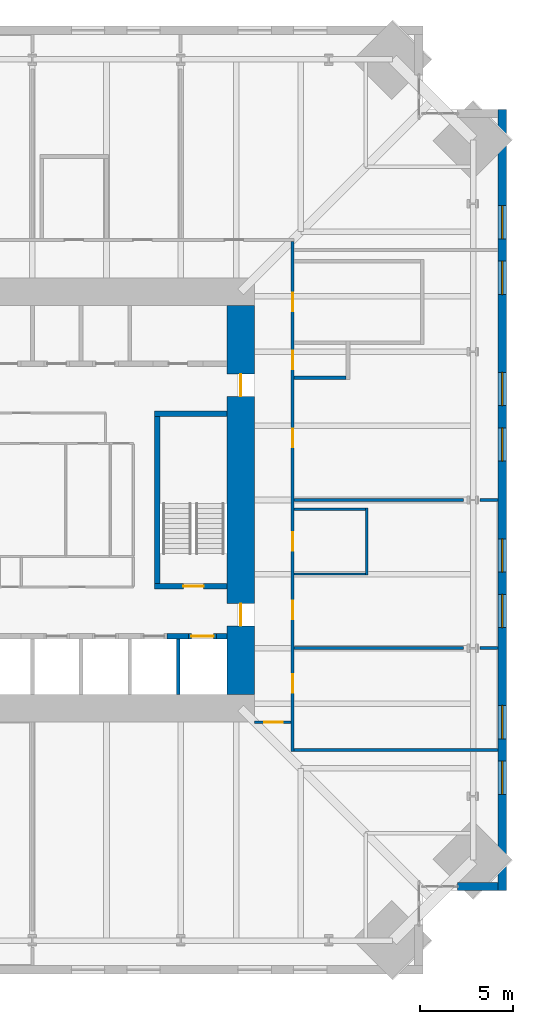
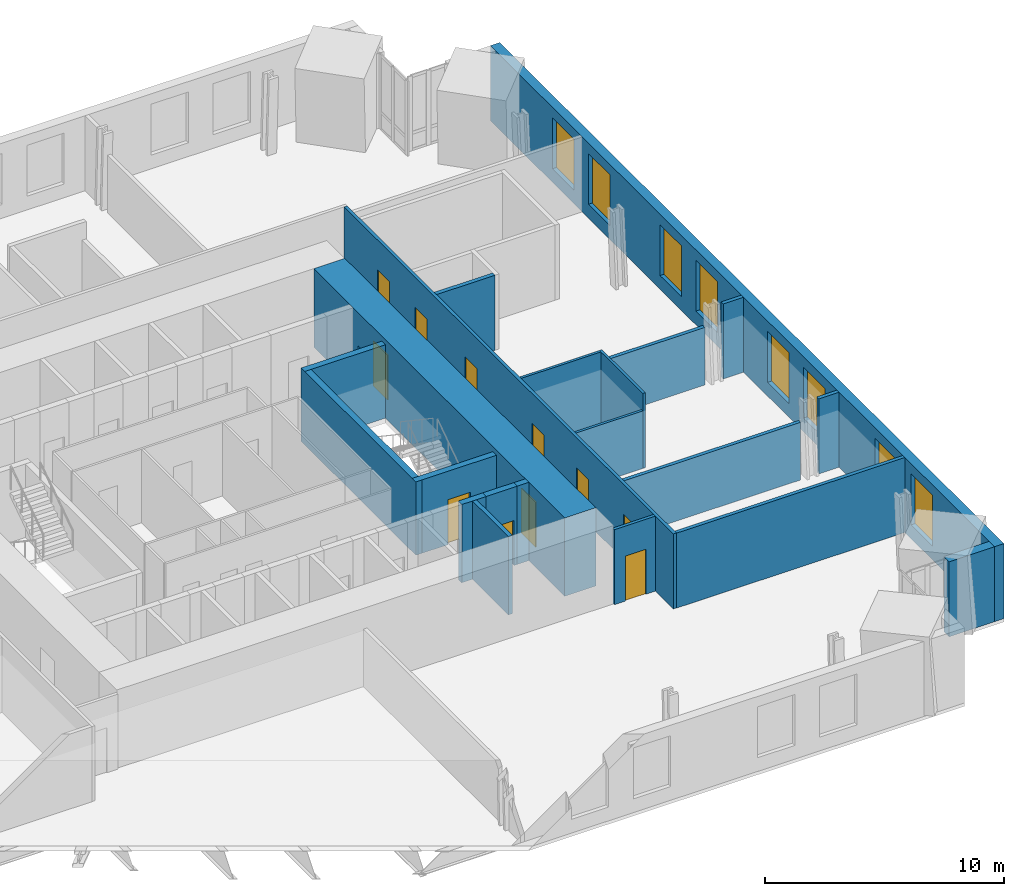
# One storey, part 15 of 18: 21 walls, 11 doors, 8 windows, 19 openings.
"""IFC4 building model written with IfcOpenShell, lengths in metres."""

from ifc_helpers import new_model, si_unit, direction, frame, frame_2d, origin, place, context, subcontext, project, spatial, rectangle, extrude, material, layer, layer_set, type_object, element, fill, save


model = new_model("IFC4")

# Units and contexts
model_context = context("Model", 3, precision=1e-05, world=origin(), true_north=direction((0.0, 1.0)))
body_context = subcontext(model_context, "Body", "Model", "MODEL_VIEW")
ifc_project = project(units=[si_unit("LENGTHUNIT", "METRE"), si_unit("AREAUNIT", "SQUARE_METRE"), si_unit("VOLUMEUNIT", "CUBIC_METRE"), si_unit("PLANEANGLEUNIT", "RADIAN"), si_unit("MASSUNIT", "GRAM", prefix="KILO")], contexts=[model_context])

# Site, building, storey
site_placement = place(None, origin())
site = spatial("IfcSite", under=ifc_project, at=site_placement, CompositionType="ELEMENT")
building_placement = place(site_placement, origin())
building = spatial("IfcBuilding", under=site, at=building_placement, Name="Peilmerk Tower", CompositionType="ELEMENT")
storey_placement = place(building_placement, frame((0.0, 0.0, 175.800048828125)))
storey = spatial("IfcBuildingStorey", under=building, at=storey_placement, Name="L37", CompositionType="ELEMENT", Elevation=175.800048828125)

# Wall, openings, windows
ifc_material_1 = material(Name="Precast concrete C45/55, board-marked finish", Category="concrete")
ifc_layer_1 = layer(ifc_material_1, 0.449951171875)
ifc_layer_set_1 = layer_set([ifc_layer_1], Name="Precast concrete C45/55, board-marked finish")
wall_type_1 = type_object("IfcWallType", Name="EW1 450 precast concrete facade wall, board-marked", PredefinedType="SOLIDWALL", material=ifc_layer_set_1)
wall_1_placement = place(storey_placement, frame((25.375, -21.10009765625, 0.0), z_axis=(0.0, 0.0, 1.0), x_axis=(0.0, 1.0, 0.0)))
wall_1 = element("IfcWall", 1, at=wall_1_placement, inside=storey, type_object=wall_type_1, Name="Facade wall E L37", PredefinedType="SOLIDWALL", context=body_context, shape_type="SweptSolid", body=[
    extrude(rectangle(XDim=42.2001953125, YDim=0.449951171875, at=frame_2d((21.10009765625, 0.0))), origin(), (0.0, 0.0, 1.0), 3.829833984375),
])
opening_1_placement = place(wall_1_placement, frame((5.199951171875, 0.0, 0.699951171875)))
opening_1 = element("IfcOpeningElement", 2, at=opening_1_placement, cuts=wall_1, Name="Opening W1", PredefinedType="OPENING", context=body_context, shape_type="SweptSolid", body=[
    extrude(rectangle(XDim=1.800048828125, YDim=2.60009765625, at=frame_2d((0.89990234375, 1.300048828125))), frame((0.0, 0.23486328125, 0.0), z_axis=(0.0, -1.0, 0.0), x_axis=(1.0, 0.0, 0.0)), (0.0, 0.0, 1.0), 0.469970703125),
])
opening_2_placement = place(wall_1_placement, frame((8.199951171875, 0.0, 0.699951171875)))
opening_2 = element("IfcOpeningElement", 3, at=opening_2_placement, cuts=wall_1, Name="Opening W1", PredefinedType="OPENING", context=body_context, shape_type="SweptSolid", body=[
    extrude(rectangle(XDim=1.800048828125, YDim=2.60009765625, at=frame_2d((0.89990234375, 1.300048828125))), frame((0.0, 0.23486328125, 0.0), z_axis=(0.0, -1.0, 0.0), x_axis=(1.0, 0.0, 0.0)), (0.0, 0.0, 1.0), 0.469970703125),
])
opening_3_placement = place(wall_1_placement, frame((14.199951171875, 0.0, 0.699951171875)))
opening_3 = element("IfcOpeningElement", 4, at=opening_3_placement, cuts=wall_1, Name="Opening W1", PredefinedType="OPENING", context=body_context, shape_type="SweptSolid", body=[
    extrude(rectangle(XDim=1.800048828125, YDim=2.60009765625, at=frame_2d((0.89990234375, 1.300048828125))), frame((0.0, 0.23486328125, 0.0), z_axis=(0.0, -1.0, 0.0), x_axis=(1.0, 0.0, 0.0)), (0.0, 0.0, 1.0), 0.469970703125),
])
opening_4_placement = place(wall_1_placement, frame((17.199951171875, 0.0, 0.699951171875)))
opening_4 = element("IfcOpeningElement", 5, at=opening_4_placement, cuts=wall_1, Name="Opening W1", PredefinedType="OPENING", context=body_context, shape_type="SweptSolid", body=[
    extrude(rectangle(XDim=1.800048828125, YDim=2.60009765625, at=frame_2d((0.89990234375, 1.300048828125))), frame((0.0, 0.23486328125, 0.0), z_axis=(0.0, -1.0, 0.0), x_axis=(1.0, 0.0, 0.0)), (0.0, 0.0, 1.0), 0.469970703125),
])
opening_5_placement = place(wall_1_placement, frame((23.199951171875, 0.0, 0.699951171875)))
opening_5 = element("IfcOpeningElement", 6, at=opening_5_placement, cuts=wall_1, Name="Opening W1", PredefinedType="OPENING", context=body_context, shape_type="SweptSolid", body=[
    extrude(rectangle(XDim=1.800048828125, YDim=2.60009765625, at=frame_2d((0.89990234375, 1.300048828125))), frame((0.0, 0.23486328125, 0.0), z_axis=(0.0, -1.0, 0.0), x_axis=(1.0, 0.0, 0.0)), (0.0, 0.0, 1.0), 0.469970703125),
])
opening_6_placement = place(wall_1_placement, frame((26.199951171875, 0.0, 0.699951171875)))
opening_6 = element("IfcOpeningElement", 7, at=opening_6_placement, cuts=wall_1, Name="Opening W1", PredefinedType="OPENING", context=body_context, shape_type="SweptSolid", body=[
    extrude(rectangle(XDim=1.800048828125, YDim=2.60009765625, at=frame_2d((0.89990234375, 1.300048828125))), frame((0.0, 0.23486328125, 0.0), z_axis=(0.0, -1.0, 0.0), x_axis=(1.0, 0.0, 0.0)), (0.0, 0.0, 1.0), 0.469970703125),
])
opening_7_placement = place(wall_1_placement, frame((32.199951171875, 0.0, 0.699951171875)))
opening_7 = element("IfcOpeningElement", 8, at=opening_7_placement, cuts=wall_1, Name="Opening W1", PredefinedType="OPENING", context=body_context, shape_type="SweptSolid", body=[
    extrude(rectangle(XDim=1.800048828125, YDim=2.60009765625, at=frame_2d((0.89990234375, 1.300048828125))), frame((0.0, 0.23486328125, 0.0), z_axis=(0.0, -1.0, 0.0), x_axis=(1.0, 0.0, 0.0)), (0.0, 0.0, 1.0), 0.469970703125),
])
opening_8_placement = place(wall_1_placement, frame((35.199951171875, 0.0, 0.699951171875)))
opening_8 = element("IfcOpeningElement", 9, at=opening_8_placement, cuts=wall_1, Name="Opening W1", PredefinedType="OPENING", context=body_context, shape_type="SweptSolid", body=[
    extrude(rectangle(XDim=1.800048828125, YDim=2.60009765625, at=frame_2d((0.89990234375, 1.300048828125))), frame((0.0, 0.23486328125, 0.0), z_axis=(0.0, -1.0, 0.0), x_axis=(1.0, 0.0, 0.0)), (0.0, 0.0, 1.0), 0.469970703125),
])
ifc_material_2 = material(Name="Aluminium frame, clear double glazing", Category="aluminium")
window_type = type_object("IfcWindowType", Name="W1 1800x2600 office window", PartitioningType="SINGLE_PANEL", PredefinedType="WINDOW", material=ifc_material_2)
window_1_placement = place(opening_1_placement, origin())
window_1 = element("IfcWindow", 10, at=window_1_placement, inside=storey, type_object=window_type, Name="Window W1 L37", OverallHeight=2.60009765625, OverallWidth=1.800048828125, PartitioningType="SINGLE_PANEL", PredefinedType="WINDOW", context=body_context, shape_type="SweptSolid", body=[
    extrude(rectangle(XDim=1.800048828125, YDim=2.60009765625, at=frame_2d((0.89990234375, 1.300048828125))), frame((0.0, 0.030029296875, 0.0), z_axis=(0.0, -1.0, 0.0), x_axis=(1.0, 0.0, 0.0)), (0.0, 0.0, 1.0), 0.06005859375),
])
fill(opening_1, window_1)
window_2_placement = place(opening_2_placement, origin())
window_2 = element("IfcWindow", 11, at=window_2_placement, inside=storey, type_object=window_type, Name="Window W1 L37", OverallHeight=2.60009765625, OverallWidth=1.800048828125, PartitioningType="SINGLE_PANEL", PredefinedType="WINDOW", context=body_context, shape_type="SweptSolid", body=[
    extrude(rectangle(XDim=1.800048828125, YDim=2.60009765625, at=frame_2d((0.89990234375, 1.300048828125))), frame((0.0, 0.030029296875, 0.0), z_axis=(0.0, -1.0, 0.0), x_axis=(1.0, 0.0, 0.0)), (0.0, 0.0, 1.0), 0.06005859375),
])
fill(opening_2, window_2)
window_3_placement = place(opening_3_placement, origin())
window_3 = element("IfcWindow", 12, at=window_3_placement, inside=storey, type_object=window_type, Name="Window W1 L37", OverallHeight=2.60009765625, OverallWidth=1.800048828125, PartitioningType="SINGLE_PANEL", PredefinedType="WINDOW", context=body_context, shape_type="SweptSolid", body=[
    extrude(rectangle(XDim=1.800048828125, YDim=2.60009765625, at=frame_2d((0.89990234375, 1.300048828125))), frame((0.0, 0.030029296875, 0.0), z_axis=(0.0, -1.0, 0.0), x_axis=(1.0, 0.0, 0.0)), (0.0, 0.0, 1.0), 0.06005859375),
])
fill(opening_3, window_3)
window_4_placement = place(opening_4_placement, origin())
window_4 = element("IfcWindow", 13, at=window_4_placement, inside=storey, type_object=window_type, Name="Window W1 L37", OverallHeight=2.60009765625, OverallWidth=1.800048828125, PartitioningType="SINGLE_PANEL", PredefinedType="WINDOW", context=body_context, shape_type="SweptSolid", body=[
    extrude(rectangle(XDim=1.800048828125, YDim=2.60009765625, at=frame_2d((0.89990234375, 1.300048828125))), frame((0.0, 0.030029296875, 0.0), z_axis=(0.0, -1.0, 0.0), x_axis=(1.0, 0.0, 0.0)), (0.0, 0.0, 1.0), 0.06005859375),
])
fill(opening_4, window_4)
window_5_placement = place(opening_5_placement, origin())
window_5 = element("IfcWindow", 14, at=window_5_placement, inside=storey, type_object=window_type, Name="Window W1 L37", OverallHeight=2.60009765625, OverallWidth=1.800048828125, PartitioningType="SINGLE_PANEL", PredefinedType="WINDOW", context=body_context, shape_type="SweptSolid", body=[
    extrude(rectangle(XDim=1.800048828125, YDim=2.60009765625, at=frame_2d((0.89990234375, 1.300048828125))), frame((0.0, 0.030029296875, 0.0), z_axis=(0.0, -1.0, 0.0), x_axis=(1.0, 0.0, 0.0)), (0.0, 0.0, 1.0), 0.06005859375),
])
fill(opening_5, window_5)
window_6_placement = place(opening_6_placement, origin())
window_6 = element("IfcWindow", 15, at=window_6_placement, inside=storey, type_object=window_type, Name="Window W1 L37", OverallHeight=2.60009765625, OverallWidth=1.800048828125, PartitioningType="SINGLE_PANEL", PredefinedType="WINDOW", context=body_context, shape_type="SweptSolid", body=[
    extrude(rectangle(XDim=1.800048828125, YDim=2.60009765625, at=frame_2d((0.89990234375, 1.300048828125))), frame((0.0, 0.030029296875, 0.0), z_axis=(0.0, -1.0, 0.0), x_axis=(1.0, 0.0, 0.0)), (0.0, 0.0, 1.0), 0.06005859375),
])
fill(opening_6, window_6)
window_7_placement = place(opening_7_placement, origin())
window_7 = element("IfcWindow", 16, at=window_7_placement, inside=storey, type_object=window_type, Name="Window W1 L37", OverallHeight=2.60009765625, OverallWidth=1.800048828125, PartitioningType="SINGLE_PANEL", PredefinedType="WINDOW", context=body_context, shape_type="SweptSolid", body=[
    extrude(rectangle(XDim=1.800048828125, YDim=2.60009765625, at=frame_2d((0.89990234375, 1.300048828125))), frame((0.0, 0.030029296875, 0.0), z_axis=(0.0, -1.0, 0.0), x_axis=(1.0, 0.0, 0.0)), (0.0, 0.0, 1.0), 0.06005859375),
])
fill(opening_7, window_7)
window_8_placement = place(opening_8_placement, origin())
window_8 = element("IfcWindow", 17, at=window_8_placement, inside=storey, type_object=window_type, Name="Window W1 L37", OverallHeight=2.60009765625, OverallWidth=1.800048828125, PartitioningType="SINGLE_PANEL", PredefinedType="WINDOW", context=body_context, shape_type="SweptSolid", body=[
    extrude(rectangle(XDim=1.800048828125, YDim=2.60009765625, at=frame_2d((0.89990234375, 1.300048828125))), frame((0.0, 0.030029296875, 0.0), z_axis=(0.0, -1.0, 0.0), x_axis=(1.0, 0.0, 0.0)), (0.0, 0.0, 1.0), 0.06005859375),
])
fill(opening_8, window_8)

# Wall
wall_2_placement = place(storey_placement, frame((22.95361328125, -20.875, 0.0), z_axis=(0.0, 0.0, 1.0), x_axis=(1.0, 0.0, 0.0)))
element("IfcWall", 18, at=wall_2_placement, inside=storey, type_object=wall_type_1, Name="Facade wall SEB L37", PredefinedType="SOLIDWALL", context=body_context, shape_type="SweptSolid", body=[
    extrude(rectangle(XDim=2.1962890625, YDim=0.449951171875, at=frame_2d((1.09814453125, 0.0))), origin(), (0.0, 0.0, 1.0), 3.829833984375),
])

# Wall, openings, doors
ifc_material_3 = material(Name="Calcium silicate block", Category="masonry")
ifc_layer_2 = layer(ifc_material_3, 0.14990234375)
ifc_layer_set_2 = layer_set([ifc_layer_2], Name="Calcium silicate block")
wall_type_2 = type_object("IfcWallType", Name="IW1 150 corridor partition, EI 60", PredefinedType="PARTITIONING", material=ifc_layer_set_2)
wall_3_placement = place(storey_placement, frame((14.050048828125, -13.574951171875, 0.0), z_axis=(0.0, 0.0, 1.0), x_axis=(0.0, 1.0, 0.0)))
wall_3 = element("IfcWall", 19, at=wall_3_placement, inside=storey, type_object=wall_type_2, Name="Corridor wall E L37", PredefinedType="PARTITIONING", context=body_context, shape_type="SweptSolid", body=[
    extrude(rectangle(XDim=27.550048828125, YDim=0.14990234375, at=frame_2d((13.77490234375, 0.0))), origin(), (0.0, 0.0, 1.0), 3.829833984375),
])
opening_9_placement = place(wall_3_placement, frame((3.175048828125, 0.0, 0.0)))
opening_9 = element("IfcOpeningElement", 20, at=opening_9_placement, cuts=wall_3, Name="Opening D1", PredefinedType="OPENING", context=body_context, shape_type="SweptSolid", body=[
    extrude(rectangle(XDim=1.0, YDim=2.300048828125, at=frame_2d((0.5, 1.14990234375))), frame((0.0, 0.0849609375, 0.0), z_axis=(0.0, -1.0, 0.0), x_axis=(1.0, 0.0, 0.0)), (0.0, 0.0, 1.0), 0.169921875),
])
opening_10_placement = place(wall_3_placement, frame((7.125, 0.0, 0.0)))
opening_10 = element("IfcOpeningElement", 21, at=opening_10_placement, cuts=wall_3, Name="Opening D1", PredefinedType="OPENING", context=body_context, shape_type="SweptSolid", body=[
    extrude(rectangle(XDim=1.0, YDim=2.300048828125, at=frame_2d((0.5, 1.14990234375))), frame((0.0, 0.0849609375, 0.0), z_axis=(0.0, -1.0, 0.0), x_axis=(1.0, 0.0, 0.0)), (0.0, 0.0, 1.0), 0.169921875),
])
opening_11_placement = place(wall_3_placement, frame((16.425048828125, 0.0, 0.0)))
opening_11 = element("IfcOpeningElement", 22, at=opening_11_placement, cuts=wall_3, Name="Opening D1", PredefinedType="OPENING", context=body_context, shape_type="SweptSolid", body=[
    extrude(rectangle(XDim=1.0, YDim=2.300048828125, at=frame_2d((0.5, 1.14990234375))), frame((0.0, 0.0849609375, 0.0), z_axis=(0.0, -1.0, 0.0), x_axis=(1.0, 0.0, 0.0)), (0.0, 0.0, 1.0), 0.169921875),
])
opening_12_placement = place(wall_3_placement, frame((10.824951171875, 0.0, 0.0)))
opening_12 = element("IfcOpeningElement", 23, at=opening_12_placement, cuts=wall_3, Name="Opening D1", PredefinedType="OPENING", context=body_context, shape_type="SweptSolid", body=[
    extrude(rectangle(XDim=1.0, YDim=2.300048828125, at=frame_2d((0.5, 1.14990234375))), frame((0.0, 0.0849609375, 0.0), z_axis=(0.0, -1.0, 0.0), x_axis=(1.0, 0.0, 0.0)), (0.0, 0.0, 1.0), 0.169921875),
])
opening_13_placement = place(wall_3_placement, frame((20.625, 0.0, 0.0)))
opening_13 = element("IfcOpeningElement", 24, at=opening_13_placement, cuts=wall_3, Name="Opening D1", PredefinedType="OPENING", context=body_context, shape_type="SweptSolid", body=[
    extrude(rectangle(XDim=1.0, YDim=2.300048828125, at=frame_2d((0.5, 1.14990234375))), frame((0.0, 0.0849609375, 0.0), z_axis=(0.0, -1.0, 0.0), x_axis=(1.0, 0.0, 0.0)), (0.0, 0.0, 1.0), 0.169921875),
])
opening_14_placement = place(wall_3_placement, frame((23.77490234375, 0.0, 0.0)))
opening_14 = element("IfcOpeningElement", 25, at=opening_14_placement, cuts=wall_3, Name="Opening D1", PredefinedType="OPENING", context=body_context, shape_type="SweptSolid", body=[
    extrude(rectangle(XDim=1.0, YDim=2.300048828125, at=frame_2d((0.5, 1.14990234375))), frame((0.0, 0.0849609375, 0.0), z_axis=(0.0, -1.0, 0.0), x_axis=(1.0, 0.0, 0.0)), (0.0, 0.0, 1.0), 0.169921875),
])
ifc_material_4 = material(Name="Timber door in steel frame", Category="steel")
door_type_1 = type_object("IfcDoorType", Name="D1 1000x2300 room door, EI2 30", OperationType="SINGLE_SWING_LEFT", PredefinedType="DOOR", material=ifc_material_4)
door_1_placement = place(opening_9_placement, frame((1.0, 0.0, 0.0), z_axis=(0.0, 0.0, 1.0), x_axis=(-1.0, 0.0, 0.0)))
door_1 = element("IfcDoor", 26, at=door_1_placement, inside=storey, type_object=door_type_1, Name="Door Wellness room L37", OperationType="SINGLE_SWING_LEFT", OverallHeight=2.300048828125, OverallWidth=1.0, PredefinedType="DOOR", context=body_context, shape_type="SweptSolid", body=[
    extrude(rectangle(XDim=1.0, YDim=2.300048828125, at=frame_2d((0.5, 1.14990234375))), frame((0.0, 0.02490234375, 0.0), z_axis=(0.0, -1.0, 0.0), x_axis=(1.0, 0.0, 0.0)), (0.0, 0.0, 1.0), 0.050048828125),
])
fill(opening_9, door_1)
door_2_placement = place(opening_10_placement, frame((1.0, 0.0, 0.0), z_axis=(0.0, 0.0, 1.0), x_axis=(-1.0, 0.0, 0.0)))
door_2 = element("IfcDoor", 27, at=door_2_placement, inside=storey, type_object=door_type_1, Name="Door Quiet room L37", OperationType="SINGLE_SWING_LEFT", OverallHeight=2.300048828125, OverallWidth=1.0, PredefinedType="DOOR", context=body_context, shape_type="SweptSolid", body=[
    extrude(rectangle(XDim=1.0, YDim=2.300048828125, at=frame_2d((0.5, 1.14990234375))), frame((0.0, 0.02490234375, 0.0), z_axis=(0.0, -1.0, 0.0), x_axis=(1.0, 0.0, 0.0)), (0.0, 0.0, 1.0), 0.050048828125),
])
fill(opening_10, door_2)
door_3_placement = place(opening_11_placement, frame((1.0, 0.0, 0.0), z_axis=(0.0, 0.0, 1.0), x_axis=(-1.0, 0.0, 0.0)))
door_3 = element("IfcDoor", 28, at=door_3_placement, inside=storey, type_object=door_type_1, Name="Door Reading room L37", OperationType="SINGLE_SWING_LEFT", OverallHeight=2.300048828125, OverallWidth=1.0, PredefinedType="DOOR", context=body_context, shape_type="SweptSolid", body=[
    extrude(rectangle(XDim=1.0, YDim=2.300048828125, at=frame_2d((0.5, 1.14990234375))), frame((0.0, 0.02490234375, 0.0), z_axis=(0.0, -1.0, 0.0), x_axis=(1.0, 0.0, 0.0)), (0.0, 0.0, 1.0), 0.050048828125),
])
fill(opening_11, door_3)
door_4_placement = place(opening_12_placement, frame((1.0, 0.0, 0.0), z_axis=(0.0, 0.0, 1.0), x_axis=(-1.0, 0.0, 0.0)))
door_4 = element("IfcDoor", 29, at=door_4_placement, inside=storey, type_object=door_type_1, Name="Door Pantry L37", OperationType="SINGLE_SWING_LEFT", OverallHeight=2.300048828125, OverallWidth=1.0, PredefinedType="DOOR", context=body_context, shape_type="SweptSolid", body=[
    extrude(rectangle(XDim=1.0, YDim=2.300048828125, at=frame_2d((0.5, 1.14990234375))), frame((0.0, 0.02490234375, 0.0), z_axis=(0.0, -1.0, 0.0), x_axis=(1.0, 0.0, 0.0)), (0.0, 0.0, 1.0), 0.050048828125),
])
fill(opening_12, door_4)
door_5_placement = place(opening_13_placement, frame((1.0, 0.0, 0.0), z_axis=(0.0, 0.0, 1.0), x_axis=(-1.0, 0.0, 0.0)))
door_5 = element("IfcDoor", 30, at=door_5_placement, inside=storey, type_object=door_type_1, Name="Door Ablution room L37", OperationType="SINGLE_SWING_LEFT", OverallHeight=2.300048828125, OverallWidth=1.0, PredefinedType="DOOR", context=body_context, shape_type="SweptSolid", body=[
    extrude(rectangle(XDim=1.0, YDim=2.300048828125, at=frame_2d((0.5, 1.14990234375))), frame((0.0, 0.02490234375, 0.0), z_axis=(0.0, -1.0, 0.0), x_axis=(1.0, 0.0, 0.0)), (0.0, 0.0, 1.0), 0.050048828125),
])
fill(opening_13, door_5)
door_6_placement = place(opening_14_placement, frame((1.0, 0.0, 0.0), z_axis=(0.0, 0.0, 1.0), x_axis=(-1.0, 0.0, 0.0)))
door_6 = element("IfcDoor", 31, at=door_6_placement, inside=storey, type_object=door_type_1, Name="Door Prayer room L37", OperationType="SINGLE_SWING_LEFT", OverallHeight=2.300048828125, OverallWidth=1.0, PredefinedType="DOOR", context=body_context, shape_type="SweptSolid", body=[
    extrude(rectangle(XDim=1.0, YDim=2.300048828125, at=frame_2d((0.5, 1.14990234375))), frame((0.0, 0.02490234375, 0.0), z_axis=(0.0, -1.0, 0.0), x_axis=(1.0, 0.0, 0.0)), (0.0, 0.0, 1.0), 0.050048828125),
])
fill(opening_14, door_6)

# Wall, opening, door
wall_4_placement = place(storey_placement, frame((13.97509765625, -12.0, 0.0), z_axis=(0.0, 0.0, 1.0), x_axis=(-1.0, 0.0, 0.0)))
wall_4 = element("IfcWall", 32, at=wall_4_placement, inside=storey, type_object=wall_type_2, Name="Corridor wall SE L37", PredefinedType="PARTITIONING", context=body_context, shape_type="SweptSolid", body=[
    extrude(rectangle(XDim=1.97509765625, YDim=0.14990234375, at=frame_2d((0.987548828125, 0.0))), origin(), (0.0, 0.0, 1.0), 3.829833984375),
])
opening_15_placement = place(wall_4_placement, frame((0.449951171875, 0.0, 0.0)))
opening_15 = element("IfcOpeningElement", 33, at=opening_15_placement, cuts=wall_4, Name="Opening D1", PredefinedType="OPENING", context=body_context, shape_type="SweptSolid", body=[
    extrude(rectangle(XDim=1.0, YDim=2.300048828125, at=frame_2d((0.5, 1.14990234375))), frame((0.0, 0.0849609375, 0.0), z_axis=(0.0, -1.0, 0.0), x_axis=(1.0, 0.0, 0.0)), (0.0, 0.0, 1.0), 0.169921875),
])
door_7_placement = place(opening_15_placement, origin())
door_7 = element("IfcDoor", 34, at=door_7_placement, inside=storey, type_object=door_type_1, Name="Door Lounge L37", OperationType="SINGLE_SWING_LEFT", OverallHeight=2.300048828125, OverallWidth=1.0, PredefinedType="DOOR", context=body_context, shape_type="SweptSolid", body=[
    extrude(rectangle(XDim=1.0, YDim=2.300048828125, at=frame_2d((0.5, 1.14990234375))), frame((0.0, 0.02490234375, 0.0), z_axis=(0.0, -1.0, 0.0), x_axis=(1.0, 0.0, 0.0)), (0.0, 0.0, 1.0), 0.050048828125),
])
fill(opening_15, door_7)

# Walls
ifc_layer_3 = layer(ifc_material_3, 0.199951171875)
ifc_layer_set_3 = layer_set([ifc_layer_3], Name="Calcium silicate block")
wall_type_3 = type_object("IfcWallType", Name="IW2 200 room separating wall, EI 120", PredefinedType="PARTITIONING", material=ifc_layer_set_3)
wall_5_placement = place(storey_placement, frame((14.125, 6.60009765625, 0.0), z_axis=(0.0, 0.0, 1.0), x_axis=(1.0, 0.0, 0.0)))
element("IfcWall", 35, at=wall_5_placement, inside=storey, type_object=wall_type_3, Name="Room separating wall Ablution room L37", PredefinedType="PARTITIONING", context=body_context, shape_type="SweptSolid", body=[
    extrude(rectangle(XDim=2.824951171875, YDim=0.199951171875, at=frame_2d((1.41259765625, 0.0))), origin(), (0.0, 0.0, 1.0), 3.829833984375),
])
ifc_material_5 = material(Name="Concrete C35/45", Category="concrete")
ifc_layer_4 = layer(ifc_material_5, 0.300048828125)
ifc_layer_set_4 = layer_set([ifc_layer_4], Name="Concrete C35/45")
wall_type_4 = type_object("IfcWallType", Name="IW3 300 concrete stair enclosure wall, EI 120", PredefinedType="SOLIDWALL", material=ifc_layer_set_4)
wall_6_placement = place(storey_placement, frame((6.75, -4.800048828125, 0.0), z_axis=(0.0, 0.0, 1.0), x_axis=(0.0, 1.0, 0.0)))
element("IfcWall", 36, at=wall_6_placement, inside=storey, type_object=wall_type_4, Name="Stair 2 enclosure L37", PredefinedType="SOLIDWALL", context=body_context, shape_type="SweptSolid", body=[
    extrude(rectangle(XDim=9.60009765625, YDim=0.300048828125, at=frame_2d((4.800048828125, 0.0))), origin(), (0.0, 0.0, 1.0), 3.75),
])
wall_7_placement = place(storey_placement, frame((6.60009765625, 4.64990234375, 0.0), z_axis=(0.0, 0.0, 1.0), x_axis=(1.0, 0.0, 0.0)))
element("IfcWall", 37, at=wall_7_placement, inside=storey, type_object=wall_type_4, Name="Stair 2 enclosure L37", PredefinedType="SOLIDWALL", context=body_context, shape_type="SweptSolid", body=[
    extrude(rectangle(XDim=3.89990234375, YDim=0.300048828125, at=frame_2d((1.949951171875, 0.0))), origin(), (0.0, 0.0, 1.0), 3.75),
])

# Wall, opening, door
wall_8_placement = place(storey_placement, frame((10.5, -4.64990234375, 0.0), z_axis=(0.0, 0.0, 1.0), x_axis=(-1.0, 0.0, 0.0)))
wall_8 = element("IfcWall", 38, at=wall_8_placement, inside=storey, type_object=wall_type_4, Name="Stair 2 enclosure L37", PredefinedType="SOLIDWALL", context=body_context, shape_type="SweptSolid", body=[
    extrude(rectangle(XDim=3.89990234375, YDim=0.300048828125, at=frame_2d((1.949951171875, 0.0))), origin(), (0.0, 0.0, 1.0), 3.75),
])
opening_16_placement = place(wall_8_placement, frame((1.25, 0.0, 0.0)))
opening_16 = element("IfcOpeningElement", 39, at=opening_16_placement, cuts=wall_8, Name="Opening D4", PredefinedType="OPENING", context=body_context, shape_type="SweptSolid", body=[
    extrude(rectangle(XDim=1.10009765625, YDim=2.300048828125, at=frame_2d((0.550048828125, 1.14990234375))), frame((0.0, 0.159912109375, 0.0), z_axis=(0.0, -1.0, 0.0), x_axis=(1.0, 0.0, 0.0)), (0.0, 0.0, 1.0), 0.320068359375),
])
ifc_material_6 = material(Name="Steel door in steel frame", Category="steel")
door_type_2 = type_object("IfcDoorType", Name="D4 1100x2300 stair door, EI2 60", OperationType="SINGLE_SWING_RIGHT", PredefinedType="DOOR", material=ifc_material_6)
door_8_placement = place(opening_16_placement, frame((1.10009765625, 0.0, 0.0), z_axis=(0.0, 0.0, 1.0), x_axis=(-1.0, 0.0, 0.0)))
door_8 = element("IfcDoor", 40, at=door_8_placement, inside=storey, type_object=door_type_2, Name="Stair 2 door L37", OperationType="SINGLE_SWING_RIGHT", OverallHeight=2.300048828125, OverallWidth=1.10009765625, PredefinedType="DOOR", context=body_context, shape_type="SweptSolid", body=[
    extrude(rectangle(XDim=1.10009765625, YDim=2.300048828125, at=frame_2d((0.550048828125, 1.14990234375))), frame((0.0, 0.02490234375, 0.0), z_axis=(0.0, -1.0, 0.0), x_axis=(1.0, 0.0, 0.0)), (0.0, 0.0, 1.0), 0.050048828125),
])
fill(opening_16, door_8)

# Walls
ifc_material_7 = material(Name="Plasterboard on steel studs, double boarded with mineral wool", Category="steel")
ifc_layer_5 = layer(ifc_material_7, 0.125)
ifc_layer_set_5 = layer_set([ifc_layer_5], Name="Plasterboard on steel studs, double boarded with mineral wool")
wall_type_5 = type_object("IfcWallType", Name="IW7 125 acoustic partition, EI 30", PredefinedType="PARTITIONING", material=ifc_layer_set_5)
wall_9_placement = place(storey_placement, frame((18.050048828125, -4.0625, 0.0), z_axis=(0.0, 0.0, 1.0), x_axis=(0.0, 1.0, 0.0)))
element("IfcWall", 41, at=wall_9_placement, inside=storey, type_object=wall_type_5, Name="Acoustic partition Pantry L37", PredefinedType="PARTITIONING", context=body_context, shape_type="SweptSolid", body=[
    extrude(rectangle(XDim=3.625, YDim=0.125, at=frame_2d((1.8125, 0.0))), origin(), (0.0, 0.0, 1.0), 3.829833984375),
])
wall_10_placement = place(storey_placement, frame((14.125, -4.0, 0.0), z_axis=(0.0, 0.0, 1.0), x_axis=(1.0, 0.0, 0.0)))
element("IfcWall", 42, at=wall_10_placement, inside=storey, type_object=wall_type_5, Name="Acoustic partition Pantry L37", PredefinedType="PARTITIONING", context=body_context, shape_type="SweptSolid", body=[
    extrude(rectangle(XDim=3.862548828125, YDim=0.125, at=frame_2d((1.93115234375, 0.0))), origin(), (0.0, 0.0, 1.0), 2.93994140625),
])
wall_11_placement = place(storey_placement, frame((14.125, -0.5, 0.0), z_axis=(0.0, 0.0, 1.0), x_axis=(1.0, 0.0, 0.0)))
element("IfcWall", 43, at=wall_11_placement, inside=storey, type_object=wall_type_5, Name="Acoustic partition Pantry L37", PredefinedType="PARTITIONING", context=body_context, shape_type="SweptSolid", body=[
    extrude(rectangle(XDim=3.862548828125, YDim=0.125, at=frame_2d((1.93115234375, 0.0))), origin(), (0.0, 0.0, 1.0), 3.829833984375),
])
ifc_layer_6 = layer(ifc_material_3, 0.175048828125)
ifc_layer_set_6 = layer_set([ifc_layer_6], Name="Calcium silicate block")
wall_type_6 = type_object("IfcWallType", Name="IW8 175 tenant separating wall, EI 60", PredefinedType="PARTITIONING", material=ifc_layer_set_6)
wall_12_placement = place(storey_placement, frame((25.14990234375, -13.5, 0.0), z_axis=(0.0, 0.0, 1.0), x_axis=(-1.0, 0.0, 0.0)))
element("IfcWall", 44, at=wall_12_placement, inside=storey, type_object=wall_type_6, Name="Tenant separating wall SE L37", PredefinedType="PARTITIONING", context=body_context, shape_type="SweptSolid", body=[
    extrude(rectangle(XDim=11.02490234375, YDim=0.175048828125, at=frame_2d((5.512451171875, 0.0))), origin(), (0.0, 0.0, 1.0), 3.829833984375),
])
wall_13_placement = place(storey_placement, frame((14.125, -8.0, 0.0), z_axis=(0.0, 0.0, 1.0), x_axis=(1.0, 0.0, 0.0)))
element("IfcWall", 45, at=wall_13_placement, inside=storey, type_object=wall_type_6, Name="Tenant separating wall E1 L37", PredefinedType="PARTITIONING", context=body_context, shape_type="SweptSolid", body=[
    extrude(rectangle(XDim=9.15771484375, YDim=0.175048828125, at=frame_2d((4.578857421875, 0.0))), origin(), (0.0, 0.0, 1.0), 2.93994140625),
])
wall_14_placement = place(storey_placement, frame((24.172119140625, -8.0, 0.0), z_axis=(0.0, 0.0, 1.0), x_axis=(1.0, 0.0, 0.0)))
element("IfcWall", 46, at=wall_14_placement, inside=storey, type_object=wall_type_6, Name="Tenant separating wall E1b L37", PredefinedType="PARTITIONING", context=body_context, shape_type="SweptSolid", body=[
    extrude(rectangle(XDim=0.977783203125, YDim=0.175048828125, at=frame_2d((0.48876953125, 0.0))), origin(), (0.0, 0.0, 1.0), 3.829833984375),
])
wall_15_placement = place(storey_placement, frame((14.125, 0.0, 0.0), z_axis=(0.0, 0.0, 1.0), x_axis=(1.0, 0.0, 0.0)))
element("IfcWall", 47, at=wall_15_placement, inside=storey, type_object=wall_type_6, Name="Tenant separating wall E2 L37", PredefinedType="PARTITIONING", context=body_context, shape_type="SweptSolid", body=[
    extrude(rectangle(XDim=9.15771484375, YDim=0.175048828125, at=frame_2d((4.578857421875, 0.0))), origin(), (0.0, 0.0, 1.0), 2.93994140625),
])
wall_16_placement = place(storey_placement, frame((24.172119140625, 0.0, 0.0), z_axis=(0.0, 0.0, 1.0), x_axis=(1.0, 0.0, 0.0)))
element("IfcWall", 48, at=wall_16_placement, inside=storey, type_object=wall_type_6, Name="Tenant separating wall E2b L37", PredefinedType="PARTITIONING", context=body_context, shape_type="SweptSolid", body=[
    extrude(rectangle(XDim=0.977783203125, YDim=0.175048828125, at=frame_2d((0.48876953125, 0.0))), origin(), (0.0, 0.0, 1.0), 3.829833984375),
])
ifc_layer_7 = layer(ifc_material_3, 0.199951171875)
ifc_layer_set_7 = layer_set([ifc_layer_7], Name="Calcium silicate block")
wall_type_7 = type_object("IfcWallType", Name="SH1 200 shaft dividing wall, EI 120", PredefinedType="PARTITIONING", material=ifc_layer_set_7)
wall_17_placement = place(storey_placement, frame((7.875, -10.5, 0.0), z_axis=(0.0, 0.0, 1.0), x_axis=(0.0, 1.0, 0.0)))
element("IfcWall", 49, at=wall_17_placement, inside=storey, type_object=wall_type_7, Name="Shaft wall S B1 L37", PredefinedType="PARTITIONING", context=body_context, shape_type="SweptSolid", body=[
    extrude(rectangle(XDim=3.0, YDim=0.199951171875, at=frame_2d((1.5, 0.0))), origin(), (0.0, 0.0, 1.0), 4.0),
])

# Wall, opening, door
ifc_layer_8 = layer(ifc_material_3, 0.300048828125)
ifc_layer_set_8 = layer_set([ifc_layer_8], Name="Calcium silicate block")
wall_type_8 = type_object("IfcWallType", Name="SH2 300 lift landing door panel, EI 120", PredefinedType="PARTITIONING", material=ifc_layer_set_8)
wall_18_placement = place(storey_placement, frame((8.4375, -7.35009765625, 0.0), z_axis=(0.0, 0.0, 1.0), x_axis=(1.0, 0.0, 0.0)))
wall_18 = element("IfcWall", 50, at=wall_18_placement, inside=storey, type_object=wall_type_8, Name="Lift door panel S FL2 L37", PredefinedType="PARTITIONING", context=body_context, shape_type="SweptSolid", body=[
    extrude(rectangle(XDim=1.5, YDim=0.300048828125, at=frame_2d((0.75, 0.0))), origin(), (0.0, 0.0, 1.0), 4.0),
])
opening_17_placement = place(wall_18_placement, frame((0.14990234375, 0.0, 0.0)))
opening_17 = element("IfcOpeningElement", 51, at=opening_17_placement, cuts=wall_18, Name="Opening LD2", PredefinedType="OPENING", context=body_context, shape_type="SweptSolid", body=[
    extrude(rectangle(XDim=1.199951171875, YDim=2.300048828125, at=frame_2d((0.60009765625, 1.14990234375))), frame((0.0, 0.159912109375, 0.0), z_axis=(0.0, -1.0, 0.0), x_axis=(1.0, 0.0, 0.0)), (0.0, 0.0, 1.0), 0.320068359375),
])
ifc_material_8 = material(Name="Stainless steel landing door", Category="steel")
door_type_3 = type_object("IfcDoorType", Name="LD2 1200x2300 lift landing door, sliding, EI2 60", OperationType="SLIDING_TO_LEFT", PredefinedType="DOOR", material=ifc_material_8)
door_9_placement = place(opening_17_placement, origin())
door_9 = element("IfcDoor", 52, at=door_9_placement, inside=storey, type_object=door_type_3, Name="Lift landing door FL2 L37", OperationType="SLIDING_TO_LEFT", OverallHeight=2.300048828125, OverallWidth=1.199951171875, PredefinedType="DOOR", context=body_context, shape_type="SweptSolid", body=[
    extrude(rectangle(XDim=1.199951171875, YDim=2.300048828125, at=frame_2d((0.60009765625, 1.14990234375))), frame((0.0, 0.02490234375, 0.0), z_axis=(0.0, -1.0, 0.0), x_axis=(1.0, 0.0, 0.0)), (0.0, 0.0, 1.0), 0.050048828125),
])
fill(opening_17, door_9)

# Wall, openings, doors
ifc_material_9 = material(Name="Concrete C55/67", Category="concrete")
ifc_layer_9 = layer(ifc_material_9, 1.5)
ifc_layer_set_9 = layer_set([ifc_layer_9], Name="Concrete C55/67")
wall_type_9 = type_object("IfcWallType", Name="SW1 1500 core wall", PredefinedType="SHEAR", material=ifc_layer_set_9)
wall_19_placement = place(storey_placement, frame((11.25, 10.5, 0.0), z_axis=(0.0, 0.0, 1.0), x_axis=(0.0, -1.0, 0.0)))
wall_19 = element("IfcWall", 53, at=wall_19_placement, inside=storey, type_object=wall_type_9, Name="Core wall E L37", PredefinedType="SHEAR", context=body_context, shape_type="SweptSolid", body=[
    extrude(rectangle(XDim=21.0, YDim=1.5, at=frame_2d((10.5, 0.0))), origin(), (0.0, 0.0, 1.0), 4.0),
])
opening_18_placement = place(wall_19_placement, frame((3.699951171875, 0.0, 0.0)))
opening_18 = element("IfcOpeningElement", 54, at=opening_18_placement, cuts=wall_19, Name="Opening D3", PredefinedType="OPENING", context=body_context, shape_type="SweptSolid", body=[
    extrude(rectangle(XDim=1.199951171875, YDim=2.300048828125, at=frame_2d((0.60009765625, 1.14990234375))), frame((0.0, 0.760009765625, 0.0), z_axis=(0.0, -1.0, 0.0), x_axis=(1.0, 0.0, 0.0)), (0.0, 0.0, 1.0), 1.52001953125),
])
opening_19_placement = place(wall_19_placement, frame((16.10009765625, 0.0, 0.0)))
opening_19 = element("IfcOpeningElement", 55, at=opening_19_placement, cuts=wall_19, Name="Opening D3", PredefinedType="OPENING", context=body_context, shape_type="SweptSolid", body=[
    extrude(rectangle(XDim=1.199951171875, YDim=2.300048828125, at=frame_2d((0.60009765625, 1.14990234375))), frame((0.0, 0.760009765625, 0.0), z_axis=(0.0, -1.0, 0.0), x_axis=(1.0, 0.0, 0.0)), (0.0, 0.0, 1.0), 1.52001953125),
])
door_type_4 = type_object("IfcDoorType", Name="D3 1200x2300 core door, EI2 60", OperationType="SINGLE_SWING_LEFT", PredefinedType="DOOR", material=ifc_material_6)
door_10_placement = place(opening_18_placement, frame((1.199951171875, 0.0, 0.0), z_axis=(0.0, 0.0, 1.0), x_axis=(-1.0, 0.0, 0.0)))
door_10 = element("IfcDoor", 56, at=door_10_placement, inside=storey, type_object=door_type_4, Name="Core door L37", OperationType="SINGLE_SWING_LEFT", OverallHeight=2.300048828125, OverallWidth=1.199951171875, PredefinedType="DOOR", context=body_context, shape_type="SweptSolid", body=[
    extrude(rectangle(XDim=1.199951171875, YDim=2.300048828125, at=frame_2d((0.60009765625, 1.14990234375))), frame((0.0, 0.02490234375, 0.0), z_axis=(0.0, -1.0, 0.0), x_axis=(1.0, 0.0, 0.0)), (0.0, 0.0, 1.0), 0.050048828125),
])
fill(opening_18, door_10)
door_11_placement = place(opening_19_placement, frame((1.199951171875, 0.0, 0.0), z_axis=(0.0, 0.0, 1.0), x_axis=(-1.0, 0.0, 0.0)))
door_11 = element("IfcDoor", 57, at=door_11_placement, inside=storey, type_object=door_type_4, Name="Core door L37", OperationType="SINGLE_SWING_LEFT", OverallHeight=2.300048828125, OverallWidth=1.199951171875, PredefinedType="DOOR", context=body_context, shape_type="SweptSolid", body=[
    extrude(rectangle(XDim=1.199951171875, YDim=2.300048828125, at=frame_2d((0.60009765625, 1.14990234375))), frame((0.0, 0.02490234375, 0.0), z_axis=(0.0, -1.0, 0.0), x_axis=(1.0, 0.0, 0.0)), (0.0, 0.0, 1.0), 0.050048828125),
])
fill(opening_19, door_11)

# Walls
ifc_layer_10 = layer(ifc_material_9, 0.300048828125)
ifc_layer_set_10 = layer_set([ifc_layer_10], Name="Concrete C55/67")
wall_type_10 = type_object("IfcWallType", Name="SW2 300 lift bank pier", PredefinedType="SHEAR", material=ifc_layer_set_10)
wall_20_placement = place(storey_placement, frame((7.262451171875, -7.35009765625, 0.0), z_axis=(0.0, 0.0, 1.0), x_axis=(1.0, 0.0, 0.0)))
element("IfcWall", 58, at=wall_20_placement, inside=storey, type_object=wall_type_10, Name="Lift bank pier S L37", PredefinedType="SHEAR", context=body_context, shape_type="SweptSolid", body=[
    extrude(rectangle(XDim=1.175048828125, YDim=0.300048828125, at=frame_2d((0.58740234375, 0.0))), origin(), (0.0, 0.0, 1.0), 4.0),
])
wall_21_placement = place(storey_placement, frame((9.9375, -7.35009765625, 0.0), z_axis=(0.0, 0.0, 1.0), x_axis=(1.0, 0.0, 0.0)))
element("IfcWall", 59, at=wall_21_placement, inside=storey, type_object=wall_type_10, Name="Lift bank pier S L37", PredefinedType="SHEAR", context=body_context, shape_type="SweptSolid", body=[
    extrude(rectangle(XDim=0.5625, YDim=0.300048828125, at=frame_2d((0.28125, 0.0))), origin(), (0.0, 0.0, 1.0), 4.0),
])

save(model, "model.ifc")
